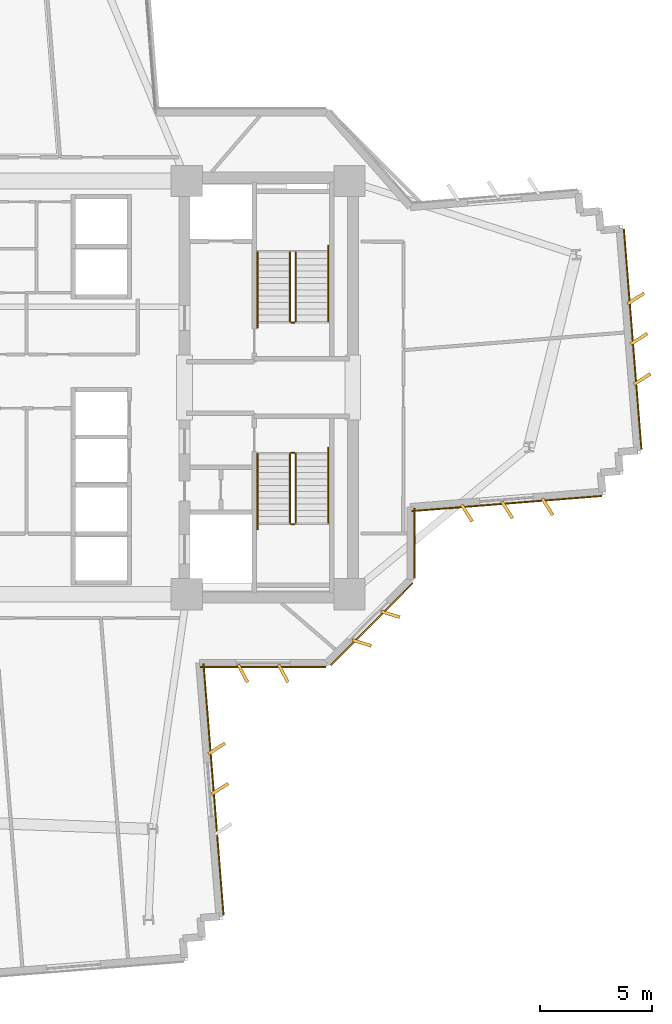
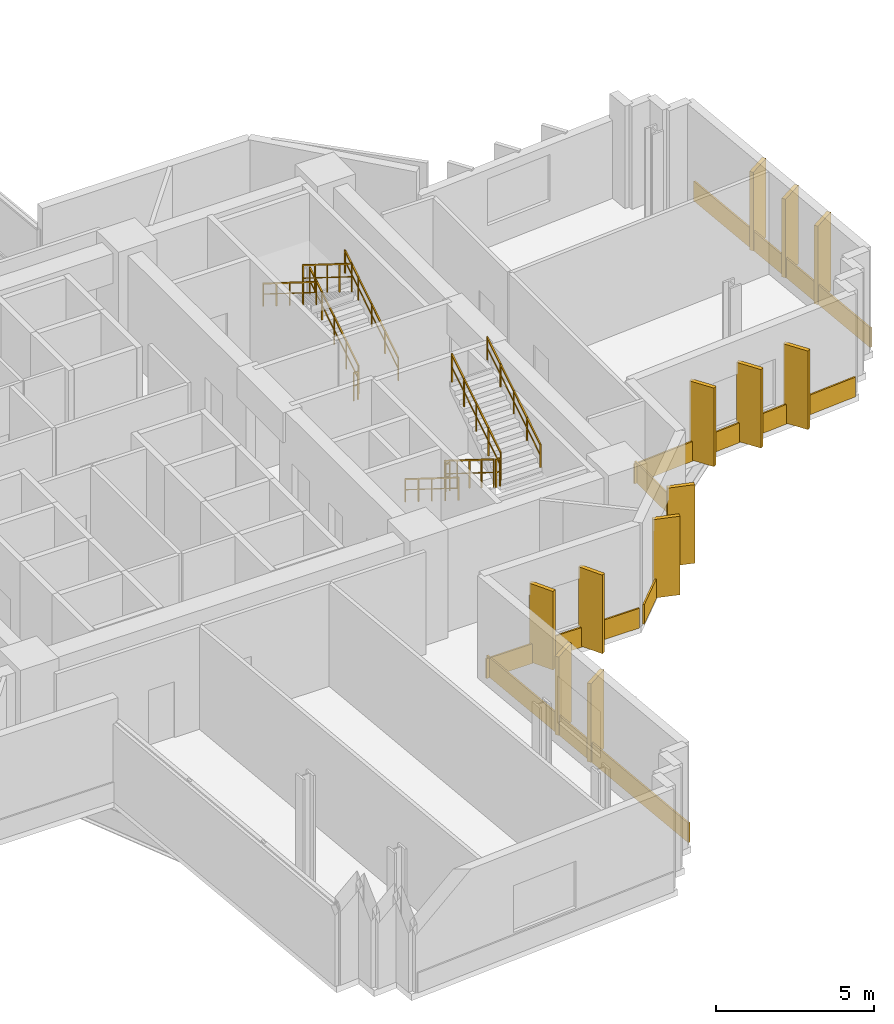
# One storey, part 13 of 15: 18 coverings, 11 railings.
"""IFC4 building model written with IfcOpenShell, lengths in metres."""

from ifc_helpers import new_model, si_unit, direction, frame, origin, origin_2d, place, context, subcontext, project, spatial, rectangle, extrude, source, transform, mapped, material, layer, layer_set, type_object, element, save


model = new_model("IFC4")

# Units and contexts
model_context = context("Model", 3, precision=1e-05, world=origin(), true_north=direction((0.0, 1.0)))
body_context = subcontext(model_context, "Body", "Model", "MODEL_VIEW")
ifc_project = project(units=[si_unit("LENGTHUNIT", "METRE"), si_unit("AREAUNIT", "SQUARE_METRE"), si_unit("VOLUMEUNIT", "CUBIC_METRE"), si_unit("PLANEANGLEUNIT", "RADIAN"), si_unit("MASSUNIT", "GRAM", prefix="KILO")], contexts=[model_context])

# Site, building, storey
site_placement = place(None, origin())
site = spatial("IfcSite", under=ifc_project, at=site_placement, CompositionType="ELEMENT")
building_placement = place(site_placement, origin())
building = spatial("IfcBuilding", under=site, at=building_placement, Name="Zahravan Cultural Tower", CompositionType="ELEMENT")
storey_placement = place(building_placement, frame((0.0, 0.0, 79.5)))
storey = spatial("IfcBuildingStorey", under=building, at=storey_placement, Name="L17", CompositionType="ELEMENT", Elevation=79.5)

# Railings
ifc_material_1 = material(Name="Steel ASTM A572 Grade 50", Category="steel")
railing_type_1 = type_object("IfcRailingType", Name="RL-STAIR-GRD1150", PredefinedType="BALUSTRADE", material=ifc_material_1)
railing_1_placement = place(storey_placement, frame((47.949951171875, 29.949951171875, 0.175048828125)))
element("IfcRailing", 1, at=railing_1_placement, inside=storey, type_object=railing_type_1, Name="L17 ST-E1 stair guard 1", PredefinedType="BALUSTRADE", context=body_context, shape_type="SweptSolid", body=[
    extrude(rectangle(XDim=0.05, YDim=0.05, at=origin_2d()), frame((0.0, 0.0, 1.0751953125), z_axis=(0.0, 0.847998304005, 0.529998940003), x_axis=(-1.0, 0.0, 0.0)), (0.0, 0.0, 1.0), 3.632080078125),
    extrude(rectangle(XDim=0.032, YDim=0.032, at=origin_2d()), frame((0.0, 0.0, 0.572021484375), z_axis=(0.0, 0.847998304005, 0.529998940003), x_axis=(-1.0, 0.0, 0.0)), (0.0, 0.0, 1.0), 3.632080078125),
    extrude(rectangle(XDim=0.04, YDim=0.04, at=origin_2d()), origin(), (0.0, 0.0, 1.0), 1.10009765625),
    extrude(rectangle(XDim=0.04, YDim=0.04, at=origin_2d()), frame((0.0, 0.77001953125, 0.481201171875)), (0.0, 0.0, 1.0), 1.10009765625),
    extrude(rectangle(XDim=0.04, YDim=0.04, at=origin_2d()), frame((0.0, 1.5400390625, 0.96240234375)), (0.0, 0.0, 1.0), 1.10009765625),
    extrude(rectangle(XDim=0.04, YDim=0.04, at=origin_2d()), frame((0.0, 2.31005859375, 1.44384765625)), (0.0, 0.0, 1.0), 1.10009765625),
    extrude(rectangle(XDim=0.04, YDim=0.04, at=origin_2d()), frame((0.0, 3.080078125, 1.925048828125)), (0.0, 0.0, 1.0), 1.10009765625),
])
railing_2_placement = place(storey_placement, frame((47.699951171875, 33.030029296875, 2.27490234375)))
element("IfcRailing", 2, at=railing_2_placement, inside=storey, type_object=railing_type_1, Name="L17 ST-E1 stair guard 3", PredefinedType="BALUSTRADE", context=body_context, shape_type="SweptSolid", body=[
    extrude(rectangle(XDim=0.05, YDim=0.05, at=origin_2d()), frame((0.0, 0.0, 1.0751953125), z_axis=(0.0, -0.847998304005, 0.529998940003), x_axis=(1.0, 0.0, 0.0)), (0.0, 0.0, 1.0), 3.632080078125),
    extrude(rectangle(XDim=0.032, YDim=0.032, at=origin_2d()), frame((0.0, 0.0, 0.572021484375), z_axis=(0.0, -0.847998304005, 0.529998940003), x_axis=(1.0, 0.0, 0.0)), (0.0, 0.0, 1.0), 3.632080078125),
    extrude(rectangle(XDim=0.04, YDim=0.04, at=origin_2d()), origin(), (0.0, 0.0, 1.0), 1.10009765625),
    extrude(rectangle(XDim=0.04, YDim=0.04, at=origin_2d()), frame((0.0, -0.77001953125, 0.481201171875)), (0.0, 0.0, 1.0), 1.10009765625),
    extrude(rectangle(XDim=0.04, YDim=0.04, at=origin_2d()), frame((0.0, -1.5400390625, 0.96240234375)), (0.0, 0.0, 1.0), 1.10009765625),
    extrude(rectangle(XDim=0.04, YDim=0.04, at=origin_2d()), frame((0.0, -2.31005859375, 1.44384765625)), (0.0, 0.0, 1.0), 1.10009765625),
    extrude(rectangle(XDim=0.04, YDim=0.04, at=origin_2d()), frame((0.0, -3.080078125, 1.925048828125)), (0.0, 0.0, 1.0), 1.10009765625),
])
railing_3_placement = place(storey_placement, frame((47.89990234375, 29.89990234375, 0.0)))
element("IfcRailing", 3, at=railing_3_placement, inside=storey, type_object=railing_type_1, Name="L17 ST-E1 stair guard 4", PredefinedType="BALUSTRADE", context=body_context, shape_type="SweptSolid", body=[
    extrude(rectangle(XDim=0.05, YDim=0.05, at=origin_2d()), frame((0.0, 0.0, 1.0751953125), z_axis=(-1.0, 0.0, 0.0), x_axis=(0.0, -1.0, 0.0)), (0.0, 0.0, 1.0), 0.14990234375),
    extrude(rectangle(XDim=0.032, YDim=0.032, at=origin_2d()), frame((0.0, 0.0, 0.572021484375), z_axis=(-1.0, 0.0, 0.0), x_axis=(0.0, -1.0, 0.0)), (0.0, 0.0, 1.0), 0.14990234375),
    extrude(rectangle(XDim=0.04, YDim=0.04, at=origin_2d()), origin(), (0.0, 0.0, 1.0), 1.10009765625),
    extrude(rectangle(XDim=0.04, YDim=0.04, at=origin_2d()), frame((-0.14990234375, 0.0, 0.0)), (0.0, 0.0, 1.0), 1.10009765625),
])
railing_4_placement = place(storey_placement, frame((47.699951171875, 24.050048828125, 0.175048828125)))
element("IfcRailing", 4, at=railing_4_placement, inside=storey, type_object=railing_type_1, Name="L17 ST-E2 stair guard 1", PredefinedType="BALUSTRADE", context=body_context, shape_type="SweptSolid", body=[
    extrude(rectangle(XDim=0.05, YDim=0.05, at=origin_2d()), frame((0.0, 0.0, 1.0751953125), z_axis=(0.0, -0.847998304005, 0.529998940003), x_axis=(1.0, 0.0, 0.0)), (0.0, 0.0, 1.0), 3.632080078125),
    extrude(rectangle(XDim=0.032, YDim=0.032, at=origin_2d()), frame((0.0, 0.0, 0.572021484375), z_axis=(0.0, -0.847998304005, 0.529998940003), x_axis=(1.0, 0.0, 0.0)), (0.0, 0.0, 1.0), 3.632080078125),
    extrude(rectangle(XDim=0.04, YDim=0.04, at=origin_2d()), origin(), (0.0, 0.0, 1.0), 1.10009765625),
    extrude(rectangle(XDim=0.04, YDim=0.04, at=origin_2d()), frame((0.0, -0.77001953125, 0.481201171875)), (0.0, 0.0, 1.0), 1.10009765625),
    extrude(rectangle(XDim=0.04, YDim=0.04, at=origin_2d()), frame((0.0, -1.5400390625, 0.96240234375)), (0.0, 0.0, 1.0), 1.10009765625),
    extrude(rectangle(XDim=0.04, YDim=0.04, at=origin_2d()), frame((0.0, -2.31005859375, 1.44384765625)), (0.0, 0.0, 1.0), 1.10009765625),
    extrude(rectangle(XDim=0.04, YDim=0.04, at=origin_2d()), frame((0.0, -3.080078125, 1.925048828125)), (0.0, 0.0, 1.0), 1.10009765625),
])
railing_5_placement = place(storey_placement, frame((47.75, 20.919921875, 2.10009765625)))
element("IfcRailing", 5, at=railing_5_placement, inside=storey, type_object=railing_type_1, Name="L17 ST-E2 stair guard 2", PredefinedType="BALUSTRADE", context=body_context, shape_type="SweptSolid", body=[
    extrude(rectangle(XDim=0.05, YDim=0.05, at=origin_2d()), frame((0.0, 0.0, 1.0751953125), z_axis=(1.0, 0.0, 0.0), x_axis=(0.0, 1.0, 0.0)), (0.0, 0.0, 1.0), 0.14990234375),
    extrude(rectangle(XDim=0.032, YDim=0.032, at=origin_2d()), frame((0.0, 0.0, 0.572021484375), z_axis=(1.0, 0.0, 0.0), x_axis=(0.0, 1.0, 0.0)), (0.0, 0.0, 1.0), 0.14990234375),
    extrude(rectangle(XDim=0.04, YDim=0.04, at=origin_2d()), origin(), (0.0, 0.0, 1.0), 1.10009765625),
    extrude(rectangle(XDim=0.04, YDim=0.04, at=origin_2d()), frame((0.14990234375, 0.0, 0.0)), (0.0, 0.0, 1.0), 1.10009765625),
])
railing_6_placement = place(storey_placement, frame((47.949951171875, 20.969970703125, 2.27490234375)))
element("IfcRailing", 6, at=railing_6_placement, inside=storey, type_object=railing_type_1, Name="L17 ST-E2 stair guard 3", PredefinedType="BALUSTRADE", context=body_context, shape_type="SweptSolid", body=[
    extrude(rectangle(XDim=0.05, YDim=0.05, at=origin_2d()), frame((0.0, 0.0, 1.0751953125), z_axis=(0.0, 0.847998304005, 0.529998940003), x_axis=(-1.0, 0.0, 0.0)), (0.0, 0.0, 1.0), 3.632080078125),
    extrude(rectangle(XDim=0.032, YDim=0.032, at=origin_2d()), frame((0.0, 0.0, 0.572021484375), z_axis=(0.0, 0.847998304005, 0.529998940003), x_axis=(-1.0, 0.0, 0.0)), (0.0, 0.0, 1.0), 3.632080078125),
    extrude(rectangle(XDim=0.04, YDim=0.04, at=origin_2d()), origin(), (0.0, 0.0, 1.0), 1.10009765625),
    extrude(rectangle(XDim=0.04, YDim=0.04, at=origin_2d()), frame((0.0, 0.77001953125, 0.481201171875)), (0.0, 0.0, 1.0), 1.10009765625),
    extrude(rectangle(XDim=0.04, YDim=0.04, at=origin_2d()), frame((0.0, 1.5400390625, 0.96240234375)), (0.0, 0.0, 1.0), 1.10009765625),
    extrude(rectangle(XDim=0.04, YDim=0.04, at=origin_2d()), frame((0.0, 2.31005859375, 1.44384765625)), (0.0, 0.0, 1.0), 1.10009765625),
    extrude(rectangle(XDim=0.04, YDim=0.04, at=origin_2d()), frame((0.0, 3.080078125, 1.925048828125)), (0.0, 0.0, 1.0), 1.10009765625),
])
railing_7_placement = place(storey_placement, frame((47.75, 24.10009765625, 0.0)))
element("IfcRailing", 7, at=railing_7_placement, inside=storey, type_object=railing_type_1, Name="L17 ST-E2 stair guard 4", PredefinedType="BALUSTRADE", context=body_context, shape_type="SweptSolid", body=[
    extrude(rectangle(XDim=0.05, YDim=0.05, at=origin_2d()), frame((0.0, 0.0, 1.0751953125), z_axis=(1.0, 0.0, 0.0), x_axis=(0.0, 1.0, 0.0)), (0.0, 0.0, 1.0), 0.14990234375),
    extrude(rectangle(XDim=0.032, YDim=0.032, at=origin_2d()), frame((0.0, 0.0, 0.572021484375), z_axis=(1.0, 0.0, 0.0), x_axis=(0.0, 1.0, 0.0)), (0.0, 0.0, 1.0), 0.14990234375),
    extrude(rectangle(XDim=0.04, YDim=0.04, at=origin_2d()), origin(), (0.0, 0.0, 1.0), 1.10009765625),
    extrude(rectangle(XDim=0.04, YDim=0.04, at=origin_2d()), frame((0.14990234375, 0.0, 0.0)), (0.0, 0.0, 1.0), 1.10009765625),
])
railing_type_2 = type_object("IfcRailingType", Name="RL-STAIR-HR900", PredefinedType="HANDRAIL", material=ifc_material_1)
railing_8_placement = place(storey_placement, frame((49.39990234375, 29.949951171875, 0.175048828125)))
element("IfcRailing", 8, at=railing_8_placement, inside=storey, type_object=railing_type_2, Name="L17 ST-E1 stair handrail 1", PredefinedType="HANDRAIL", context=body_context, shape_type="SweptSolid", body=[
    extrude(rectangle(XDim=0.05, YDim=0.05, at=origin_2d()), frame((0.0, 0.0, 0.875), z_axis=(0.0, 0.848022534174, 0.529960169762), x_axis=(-1.0, 0.0, 0.0)), (0.0, 0.0, 1.0), 3.96240234375),
    extrude(rectangle(XDim=0.032, YDim=0.032, at=origin_2d()), frame((0.0, 0.0, 0.468017578125), z_axis=(0.0, 0.848022534174, 0.529960169762), x_axis=(-1.0, 0.0, 0.0)), (0.0, 0.0, 1.0), 3.96240234375),
    extrude(rectangle(XDim=0.04, YDim=0.04, at=origin_2d()), origin(), (0.0, 0.0, 1.0), 0.89990234375),
    extrude(rectangle(XDim=0.04, YDim=0.04, at=origin_2d()), frame((0.0, 0.840087890625, 0.52490234375)), (0.0, 0.0, 1.0), 0.89990234375),
    extrude(rectangle(XDim=0.04, YDim=0.04, at=origin_2d()), frame((0.0, 1.68017578125, 1.0498046875)), (0.0, 0.0, 1.0), 0.89990234375),
    extrude(rectangle(XDim=0.04, YDim=0.04, at=origin_2d()), frame((0.0, 2.52001953125, 1.574951171875)), (0.0, 0.0, 1.0), 0.89990234375),
    extrude(rectangle(XDim=0.04, YDim=0.04, at=origin_2d()), frame((0.0, 3.360107421875, 2.099853515625)), (0.0, 0.0, 1.0), 0.89990234375),
])
railing_9_placement = place(storey_placement, frame((46.25, 33.030029296875, 2.27490234375)))
element("IfcRailing", 9, at=railing_9_placement, inside=storey, type_object=railing_type_2, Name="L17 ST-E1 stair handrail 2", PredefinedType="HANDRAIL", context=body_context, shape_type="SweptSolid", body=[
    extrude(rectangle(XDim=0.05, YDim=0.05, at=origin_2d()), frame((0.0, 0.0, 0.875), z_axis=(0.0, -0.847994842521, 0.530004478338), x_axis=(1.0, 0.0, 0.0)), (0.0, 0.0, 1.0), 3.96240234375),
    extrude(rectangle(XDim=0.032, YDim=0.032, at=origin_2d()), frame((0.0, 0.0, 0.468017578125), z_axis=(0.0, -0.847994842521, 0.530004478338), x_axis=(1.0, 0.0, 0.0)), (0.0, 0.0, 1.0), 3.96240234375),
    extrude(rectangle(XDim=0.04, YDim=0.04, at=origin_2d()), origin(), (0.0, 0.0, 1.0), 0.89990234375),
    extrude(rectangle(XDim=0.04, YDim=0.04, at=origin_2d()), frame((0.0, -0.840087890625, 0.52490234375)), (0.0, 0.0, 1.0), 0.89990234375),
    extrude(rectangle(XDim=0.04, YDim=0.04, at=origin_2d()), frame((0.0, -1.68017578125, 1.050048828125)), (0.0, 0.0, 1.0), 0.89990234375),
    extrude(rectangle(XDim=0.04, YDim=0.04, at=origin_2d()), frame((0.0, -2.52001953125, 1.5751953125)), (0.0, 0.0, 1.0), 0.89990234375),
    extrude(rectangle(XDim=0.04, YDim=0.04, at=origin_2d()), frame((0.0, -3.360107421875, 2.10009765625)), (0.0, 0.0, 1.0), 0.89990234375),
])
railing_10_placement = place(storey_placement, frame((46.25, 24.050048828125, 0.175048828125)))
element("IfcRailing", 10, at=railing_10_placement, inside=storey, type_object=railing_type_2, Name="L17 ST-E2 stair handrail 1", PredefinedType="HANDRAIL", context=body_context, shape_type="SweptSolid", body=[
    extrude(rectangle(XDim=0.05, YDim=0.05, at=origin_2d()), frame((0.0, 0.0, 0.875), z_axis=(0.0, -0.848022534174, 0.529960169762), x_axis=(1.0, 0.0, 0.0)), (0.0, 0.0, 1.0), 3.96240234375),
    extrude(rectangle(XDim=0.032, YDim=0.032, at=origin_2d()), frame((0.0, 0.0, 0.468017578125), z_axis=(0.0, -0.848022534174, 0.529960169762), x_axis=(1.0, 0.0, 0.0)), (0.0, 0.0, 1.0), 3.96240234375),
    extrude(rectangle(XDim=0.04, YDim=0.04, at=origin_2d()), origin(), (0.0, 0.0, 1.0), 0.89990234375),
    extrude(rectangle(XDim=0.04, YDim=0.04, at=origin_2d()), frame((0.0, -0.840087890625, 0.52490234375)), (0.0, 0.0, 1.0), 0.89990234375),
    extrude(rectangle(XDim=0.04, YDim=0.04, at=origin_2d()), frame((0.0, -1.68017578125, 1.0498046875)), (0.0, 0.0, 1.0), 0.89990234375),
    extrude(rectangle(XDim=0.04, YDim=0.04, at=origin_2d()), frame((0.0, -2.52001953125, 1.574951171875)), (0.0, 0.0, 1.0), 0.89990234375),
    extrude(rectangle(XDim=0.04, YDim=0.04, at=origin_2d()), frame((0.0, -3.360107421875, 2.099853515625)), (0.0, 0.0, 1.0), 0.89990234375),
])
railing_11_placement = place(storey_placement, frame((49.39990234375, 20.969970703125, 2.27490234375)))
element("IfcRailing", 11, at=railing_11_placement, inside=storey, type_object=railing_type_2, Name="L17 ST-E2 stair handrail 2", PredefinedType="HANDRAIL", context=body_context, shape_type="SweptSolid", body=[
    extrude(rectangle(XDim=0.05, YDim=0.05, at=origin_2d()), frame((0.0, 0.0, 0.875), z_axis=(0.0, 0.847994842521, 0.530004478338), x_axis=(-1.0, 0.0, 0.0)), (0.0, 0.0, 1.0), 3.96240234375),
    extrude(rectangle(XDim=0.032, YDim=0.032, at=origin_2d()), frame((0.0, 0.0, 0.468017578125), z_axis=(0.0, 0.847994842521, 0.530004478338), x_axis=(-1.0, 0.0, 0.0)), (0.0, 0.0, 1.0), 3.96240234375),
    extrude(rectangle(XDim=0.04, YDim=0.04, at=origin_2d()), origin(), (0.0, 0.0, 1.0), 0.89990234375),
    extrude(rectangle(XDim=0.04, YDim=0.04, at=origin_2d()), frame((0.0, 0.840087890625, 0.52490234375)), (0.0, 0.0, 1.0), 0.89990234375),
    extrude(rectangle(XDim=0.04, YDim=0.04, at=origin_2d()), frame((0.0, 1.68017578125, 1.050048828125)), (0.0, 0.0, 1.0), 0.89990234375),
    extrude(rectangle(XDim=0.04, YDim=0.04, at=origin_2d()), frame((0.0, 2.52001953125, 1.5751953125)), (0.0, 0.0, 1.0), 0.89990234375),
    extrude(rectangle(XDim=0.04, YDim=0.04, at=origin_2d()), frame((0.0, 3.360107421875, 2.10009765625)), (0.0, 0.0, 1.0), 0.89990234375),
])

# Coverings
ifc_material_2 = material(Name="Terracotta ceramic cladding", Category="masonry")
ifc_layer = layer(ifc_material_2, 0.06005859375)
ifc_layer_set = layer_set([ifc_layer], Name="Terracotta ceramic cladding")
covering_type = type_object("IfcCoveringType", Name="COV-CLAD-TC60", PredefinedType="CLADDING", material=ifc_layer_set)
shared_shape_1 = source(origin(), body_context, "Body", "SweptSolid", [
    extrude(rectangle(XDim=9.820068359375, YDim=0.06005859375, at=origin_2d()), origin(), (0.0, 0.0, 1.0), 0.760009765625),
])
covering_1_placement = place(storey_placement, frame((62.95947265625, 29.150146484375, 0.02001953125), z_axis=(0.0, 0.0, 1.0), x_axis=(0.079503021908, -0.996834624954, 0.0)))
element("IfcCovering", 12, at=covering_1_placement, inside=storey, type_object=covering_type, Name="L17 Terracotta Spandrel Cladding 06", PredefinedType="CLADDING", context=body_context, shape_type="MappedRepresentation", body=[
    mapped(shared_shape_1, transform((0.0, 0.0, 0.0), x_axis=(1.0, 0.0, 0.0), y_axis=(0.0, 1.0, 0.0), z_axis=(0.0, 0.0, 1.0), scale=1.0)),
])
shared_shape_2 = source(origin(), body_context, "Body", "SweptSolid", [
    extrude(rectangle(XDim=5.157958984375, YDim=0.06005859375, at=origin_2d()), origin(), (0.0, 0.0, 1.0), 0.760009765625),
])
covering_2_placement = place(storey_placement, frame((51.331787109375, 16.46826171875, 0.02001953125), z_axis=(0.0, 0.0, 1.0), x_axis=(-0.707106781187, -0.707106781187, 0.0)))
element("IfcCovering", 13, at=covering_2_placement, inside=storey, type_object=covering_type, Name="L17 Terracotta Spandrel Cladding 13", PredefinedType="CLADDING", context=body_context, shape_type="MappedRepresentation", body=[
    mapped(shared_shape_2, transform((0.0, 0.0, 0.0), x_axis=(1.0, 0.0, 0.0), y_axis=(0.0, 1.0, 0.0), z_axis=(0.0, 0.0, 1.0), scale=1.0)),
])
shared_shape_3 = source(origin(), body_context, "Body", "SweptSolid", [
    extrude(rectangle(XDim=0.8798828125, YDim=0.139892578125, at=origin_2d()), origin(), (0.0, 0.0, 1.0), 3.030029296875),
])
for number, where, z_axis, x_axis, name in (
    (14, (63.100341796875, 30.967041015625, 0.0498046875), (0.0, 0.0, 1.0), (0.842828324641, 0.538182511035, 0.0), "L17 Herringbone Terracotta Fin 04"),
    (15, (63.243408203125, 29.1728515625, 0.0498046875), (0.0, 0.0, 1.0), (0.842828324641, 0.538182511035, 0.0), "L17 Herringbone Terracotta Fin 05"),
    (16, (63.38671875, 27.37841796875, 0.0498046875), (0.0, 0.0, 1.0), (0.842828324641, 0.538182511035, 0.0), "L17 Herringbone Terracotta Fin 06"),
    (17, (59.16650390625, 21.695068359375, 0.0498046875), (0.0, 0.0, 1.0), (0.538182511035, -0.842828324641, 0.0), "L17 Herringbone Terracotta Fin 07"),
    (18, (57.372314453125, 21.552001953125, 0.0498046875), (0.0, 0.0, 1.0), (0.538182511035, -0.842828324641, 0.0), "L17 Herringbone Terracotta Fin 08"),
    (19, (55.577880859375, 21.40869140625, 0.0498046875), (0.0, 0.0, 1.0), (0.538182511035, -0.842828324641, 0.0), "L17 Herringbone Terracotta Fin 09"),
    (20, (52.169677734375, 16.903076171875, 0.0498046875), (0.0, 0.0, 1.0), (0.956304755963, -0.292371704723, 0.0), "L17 Herringbone Terracotta Fin 10"),
    (21, (50.89697265625, 15.63037109375, 0.0498046875), (0.0, 0.0, 1.0), (0.956304755963, -0.292371704723, 0.0), "L17 Herringbone Terracotta Fin 11"),
    (22, (47.400390625, 14.27001953125, 0.0498046875), (0.0, 0.0, 1.0), (0.469471562786, -0.882947592859, 0.0), "L17 Herringbone Terracotta Fin 12"),
    (23, (45.6005859375, 14.27001953125, 0.0498046875), (0.0, 0.0, 1.0), (0.469471562786, -0.882947592859, 0.0), "L17 Herringbone Terracotta Fin 13"),
    (24, (44.434814453125, 10.924560546875, 0.0498046875), (0.0, 0.0, 1.0), (0.842828324641, 0.538182511035, 0.0), "L17 Herringbone Terracotta Fin 14"),
    (25, (44.577880859375, 9.13037109375, 0.0498046875), (0.0, 0.0, 1.0), (0.842828324641, 0.538182511035, 0.0), "L17 Herringbone Terracotta Fin 15"),
):
    element("IfcCovering", number, at=place(storey_placement, frame(where, z_axis=z_axis, x_axis=x_axis)), inside=storey, type_object=covering_type, Name=name, PredefinedType="CLADDING", context=body_context, shape_type="MappedRepresentation", body=[
        mapped(shared_shape_3, transform((0.0, 0.0, 0.0), x_axis=(1.0, 0.0, 0.0), y_axis=(0.0, 1.0, 0.0), z_axis=(0.0, 0.0, 1.0), scale=1.0)),
    ])
shared_shape_4 = source(origin(), body_context, "Body", "SweptSolid", [
    extrude(rectangle(XDim=8.476806640625, YDim=0.06005859375, at=origin_2d()), origin(), (0.0, 0.0, 1.0), 0.760009765625),
])
covering_3_placement = place(storey_placement, frame((57.349609375, 21.8359375, 0.02001953125), z_axis=(0.0, 0.0, 1.0), x_axis=(-0.996834624954, -0.079503021908, 0.0)))
element("IfcCovering", 26, at=covering_3_placement, inside=storey, type_object=covering_type, Name="L17 Terracotta Spandrel Cladding 11", PredefinedType="CLADDING", context=body_context, shape_type="MappedRepresentation", body=[
    mapped(shared_shape_4, transform((0.0, 0.0, 0.0), x_axis=(1.0, 0.0, 0.0), y_axis=(0.0, 1.0, 0.0), z_axis=(0.0, 0.0, 1.0), scale=1.0)),
])
shared_shape_5 = source(origin(), body_context, "Body", "SweptSolid", [
    extrude(rectangle(XDim=3.12158203125, YDim=0.06005859375, at=origin_2d()), origin(), (0.0, 0.0, 1.0), 0.760009765625),
])
covering_4_placement = place(storey_placement, frame((53.2451171875, 20.06884765625, 0.02001953125), z_axis=(0.0, 0.0, 1.0), x_axis=(0.0, -1.0, 0.0)))
element("IfcCovering", 27, at=covering_4_placement, inside=storey, type_object=covering_type, Name="L17 Terracotta Spandrel Cladding 12", PredefinedType="CLADDING", context=body_context, shape_type="MappedRepresentation", body=[
    mapped(shared_shape_5, transform((0.0, 0.0, 0.0), x_axis=(1.0, 0.0, 0.0), y_axis=(0.0, 1.0, 0.0), z_axis=(0.0, 0.0, 1.0), scale=1.0)),
])
shared_shape_6 = source(origin(), body_context, "Body", "SweptSolid", [
    extrude(rectangle(XDim=5.5830078125, YDim=0.06005859375, at=origin_2d()), origin(), (0.0, 0.0, 1.0), 0.760009765625),
])
covering_5_placement = place(storey_placement, frame((46.50048828125, 14.554931640625, 0.02001953125), z_axis=(0.0, 0.0, 1.0), x_axis=(-1.0, 0.0, 0.0)))
element("IfcCovering", 28, at=covering_5_placement, inside=storey, type_object=covering_type, Name="L17 Terracotta Spandrel Cladding 14", PredefinedType="CLADDING", context=body_context, shape_type="MappedRepresentation", body=[
    mapped(shared_shape_6, transform((0.0, 0.0, 0.0), x_axis=(1.0, 0.0, 0.0), y_axis=(0.0, 1.0, 0.0), z_axis=(0.0, 0.0, 1.0), scale=1.0)),
])
shared_shape_7 = source(origin(), body_context, "Body", "SweptSolid", [
    extrude(rectangle(XDim=11.22998046875, YDim=0.06005859375, at=origin_2d()), origin(), (0.0, 0.0, 1.0), 0.760009765625),
])
covering_6_placement = place(storey_placement, frame((44.293701171875, 9.107666015625, 0.02001953125), z_axis=(0.0, 0.0, 1.0), x_axis=(0.079503021908, -0.996834624954, 0.0)))
element("IfcCovering", 29, at=covering_6_placement, inside=storey, type_object=covering_type, Name="L17 Terracotta Spandrel Cladding 15", PredefinedType="CLADDING", context=body_context, shape_type="MappedRepresentation", body=[
    mapped(shared_shape_7, transform((0.0, 0.0, 0.0), x_axis=(1.0, 0.0, 0.0), y_axis=(0.0, 1.0, 0.0), z_axis=(0.0, 0.0, 1.0), scale=1.0)),
])

save(model, "model.ifc")
